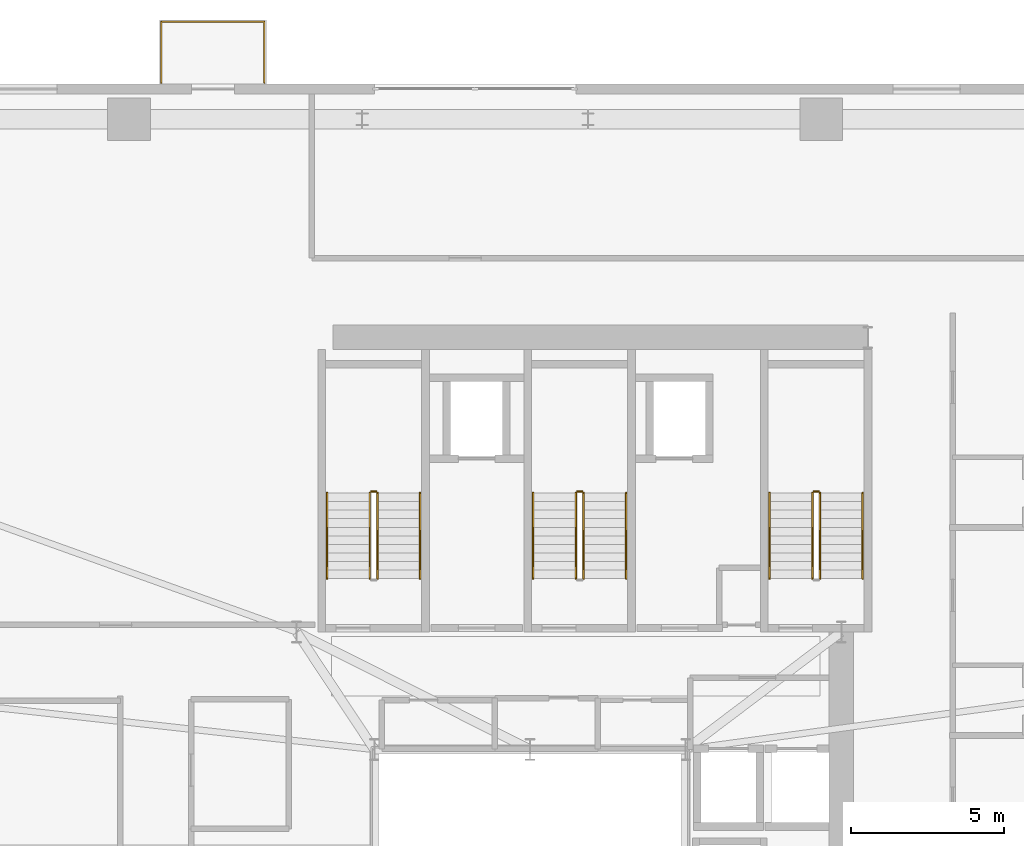
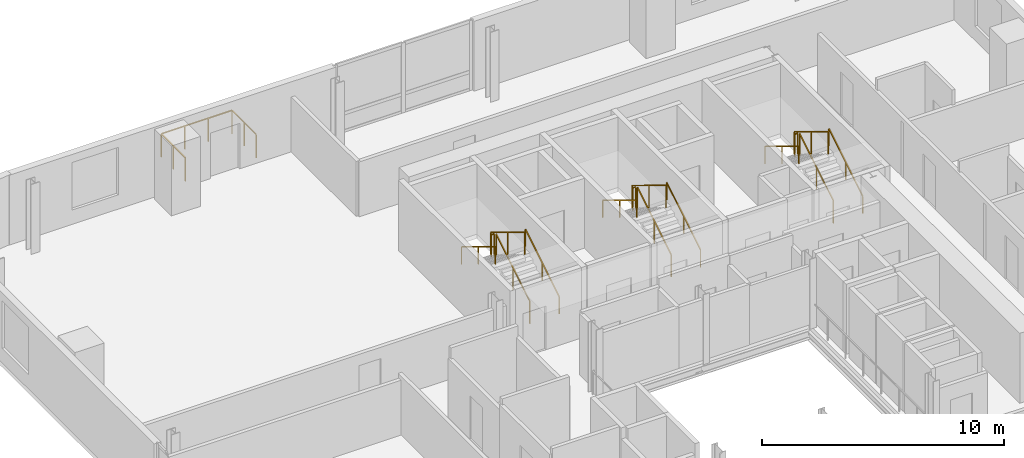
# One storey, part 15 of 15: 16 railings.
"""IFC4 building model written with IfcOpenShell, lengths in metres."""

from ifc_helpers import new_model, si_unit, direction, frame, origin, origin_2d, place, context, subcontext, project, spatial, rectangle, extrude, source, transform, mapped, material, type_object, element, save


model = new_model("IFC4")

# Units and contexts
model_context = context("Model", 3, precision=1e-05, world=origin(), true_north=direction((0.0, 1.0)))
body_context = subcontext(model_context, "Body", "Model", "MODEL_VIEW")
ifc_project = project(units=[si_unit("LENGTHUNIT", "METRE"), si_unit("AREAUNIT", "SQUARE_METRE"), si_unit("VOLUMEUNIT", "CUBIC_METRE"), si_unit("PLANEANGLEUNIT", "RADIAN"), si_unit("MASSUNIT", "GRAM", prefix="KILO")], contexts=[model_context])

# Site, building, storey
site_placement = place(None, origin())
site = spatial("IfcSite", under=ifc_project, at=site_placement, CompositionType="ELEMENT")
building_placement = place(site_placement, origin())
building = spatial("IfcBuilding", under=site, at=building_placement, Name="Vardaveli Station Tower", CompositionType="ELEMENT")
storey_placement = place(building_placement, frame((0.0, 0.0, 229.800048828125)))
storey = spatial("IfcBuildingStorey", under=building, at=storey_placement, Name="L59", CompositionType="ELEMENT", Elevation=229.800048828125)

# Railings
ifc_material_1 = material(Name="Laminated glass and stainless steel balustrade", Category="steel")
railing_type_1 = type_object("IfcRailingType", Name="RL-BAL-1200", PredefinedType="BALUSTRADE", material=ifc_material_1)
shared_shape_1 = source(origin(), body_context, "Body", "SweptSolid", [
    extrude(rectangle(XDim=0.048095703125, YDim=0.048095703125, at=origin_2d()), frame((0.0, 0.0, 1.17578125), z_axis=(0.0, 1.0, 0.0), x_axis=(-1.0, 0.0, 0.0)), (0.0, 0.0, 1.0), 2.0),
    extrude(rectangle(XDim=0.048095703125, YDim=0.048095703125, at=origin_2d()), frame((0.0, 2.0, 1.17578125), z_axis=(1.0, 0.0, 0.0), x_axis=(0.0, 1.0, 0.0)), (0.0, 0.0, 1.0), 3.3798828125),
    extrude(rectangle(XDim=0.048095703125, YDim=0.048095703125, at=origin_2d()), frame((3.3798828125, 2.0, 1.17578125), z_axis=(0.0, -1.0, 0.0), x_axis=(1.0, 0.0, 0.0)), (0.0, 0.0, 1.0), 2.0),
    extrude(rectangle(XDim=0.0419921875, YDim=0.0419921875, at=origin_2d()), origin(), (0.0, 0.0, 1.0), 1.15185546875),
    extrude(rectangle(XDim=0.0419921875, YDim=0.0419921875, at=origin_2d()), frame((0.0, 1.0, 0.0)), (0.0, 0.0, 1.0), 1.15185546875),
    extrude(rectangle(XDim=0.0419921875, YDim=0.0419921875, at=origin_2d()), frame((0.0, 2.0, 0.0)), (0.0, 0.0, 1.0), 1.15185546875),
    extrude(rectangle(XDim=0.0419921875, YDim=0.0419921875, at=origin_2d()), frame((1.126708984375, 2.0, 0.0)), (0.0, 0.0, 1.0), 1.15185546875),
    extrude(rectangle(XDim=0.0419921875, YDim=0.0419921875, at=origin_2d()), frame((2.253173828125, 2.0, 0.0)), (0.0, 0.0, 1.0), 1.15185546875),
    extrude(rectangle(XDim=0.0419921875, YDim=0.0419921875, at=origin_2d()), frame((3.3798828125, 2.0, 0.0)), (0.0, 0.0, 1.0), 1.15185546875),
    extrude(rectangle(XDim=0.0419921875, YDim=0.0419921875, at=origin_2d()), frame((3.3798828125, 1.0, 0.0)), (0.0, 0.0, 1.0), 1.15185546875),
    extrude(rectangle(XDim=0.0419921875, YDim=0.0419921875, at=origin_2d()), frame((3.3798828125, 0.0, 0.0)), (0.0, 0.0, 1.0), 1.15185546875),
])
railing_placement = place(storey_placement, frame((24.220458984375, 48.639892578125, 0.0)))
element("IfcRailing", 1, at=railing_placement, inside=storey, type_object=railing_type_1, Name="RL-LOG-L59-02", PredefinedType="BALUSTRADE", context=body_context, shape_type="MappedRepresentation", body=[
    mapped(shared_shape_1, transform((0.0, 0.0, 0.0), scale=1.0)),
])
ifc_material_2 = material(Name="Brushed AISI 316 stainless steel", Category="steel")
railing_type_2 = type_object("IfcRailingType", Name="RL-GUARD-1150", PredefinedType="GUARDRAIL", material=ifc_material_2)
shared_shape_2 = source(origin(), body_context, "Body", "SweptSolid", [
    extrude(rectangle(XDim=0.048095703125, YDim=0.048095703125, at=origin_2d()), frame((0.0, 0.0, 1.1259765625), z_axis=(-1.0, 0.0, 0.0), x_axis=(0.0, -1.0, 0.0)), (0.0, 0.0, 1.0), 0.14990234375),
    extrude(rectangle(XDim=0.0419921875, YDim=0.0419921875, at=origin_2d()), origin(), (0.0, 0.0, 1.0), 1.101806640625),
    extrude(rectangle(XDim=0.0419921875, YDim=0.0419921875, at=origin_2d()), frame((-0.14990234375, 0.0, 0.0)), (0.0, 0.0, 1.0), 1.101806640625),
])
for number, where, name in (
    (2, (31.25, 35.25, 1.875), "L59 ST-1 stair guard 2"),
    (3, (38.0, 35.25, 1.875), "L59 ST-2 stair guard 2"),
    (4, (45.75, 35.25, 1.875), "L59 ST-3 stair guard 2"),
):
    element("IfcRailing", number, at=place(storey_placement, frame(where)), inside=storey, type_object=railing_type_2, Name=name, PredefinedType="GUARDRAIL", context=body_context, shape_type="MappedRepresentation", body=[
        mapped(shared_shape_2, transform((0.0, 0.0, 0.0), scale=1.0)),
    ])
shared_shape_3 = source(origin(), body_context, "Body", "SweptSolid", [
    extrude(rectangle(XDim=0.048095703125, YDim=0.048095703125, at=origin_2d()), frame((0.0, 0.0, 1.1259765625), z_axis=(0.0, 0.854169791009, 0.51999420009), x_axis=(-1.0, 0.0, 0.0)), (0.0, 0.0, 1.0), 3.278076171875),
    extrude(rectangle(XDim=0.0419921875, YDim=0.0419921875, at=origin_2d()), origin(), (0.0, 0.0, 1.0), 1.101806640625),
    extrude(rectangle(XDim=0.0419921875, YDim=0.0419921875, at=origin_2d()), frame((0.0, 1.39990234375, 0.852294921875)), (0.0, 0.0, 1.0), 1.101806640625),
    extrude(rectangle(XDim=0.0419921875, YDim=0.0419921875, at=origin_2d()), frame((0.0, 2.800048828125, 1.70458984375)), (0.0, 0.0, 1.0), 1.101806640625),
])
for number, where, name in (
    (5, (31.300048828125, 32.39990234375, 0.17041015625), "L59 ST-1 stair guard 1"),
    (6, (38.050048828125, 32.39990234375, 0.17041015625), "L59 ST-2 stair guard 1"),
    (7, (45.800048828125, 32.39990234375, 0.17041015625), "L59 ST-3 stair guard 1"),
):
    element("IfcRailing", number, at=place(storey_placement, frame(where)), inside=storey, type_object=railing_type_2, Name=name, PredefinedType="GUARDRAIL", context=body_context, shape_type="MappedRepresentation", body=[
        mapped(shared_shape_3, transform((0.0, 0.0, 0.0), scale=1.0)),
    ])
shared_shape_4 = source(origin(), body_context, "Body", "SweptSolid", [
    extrude(rectangle(XDim=0.048095703125, YDim=0.048095703125, at=origin_2d()), frame((0.0, 0.0, 1.1259765625), z_axis=(0.0, -0.854169791009, 0.51999420009), x_axis=(1.0, 0.0, 0.0)), (0.0, 0.0, 1.0), 3.278076171875),
    extrude(rectangle(XDim=0.0419921875, YDim=0.0419921875, at=origin_2d()), origin(), (0.0, 0.0, 1.0), 1.101806640625),
    extrude(rectangle(XDim=0.0419921875, YDim=0.0419921875, at=origin_2d()), frame((0.0, -1.39990234375, 0.852294921875)), (0.0, 0.0, 1.0), 1.101806640625),
    extrude(rectangle(XDim=0.0419921875, YDim=0.0419921875, at=origin_2d()), frame((0.0, -2.800048828125, 1.70458984375)), (0.0, 0.0, 1.0), 1.101806640625),
])
for number, where, name in (
    (8, (31.050048828125, 35.199951171875, 2.04541015625), "L59 ST-1 stair guard 3"),
    (9, (37.800048828125, 35.199951171875, 2.04541015625), "L59 ST-2 stair guard 3"),
    (10, (45.550048828125, 35.199951171875, 2.04541015625), "L59 ST-3 stair guard 3"),
):
    element("IfcRailing", number, at=place(storey_placement, frame(where)), inside=storey, type_object=railing_type_2, Name=name, PredefinedType="GUARDRAIL", context=body_context, shape_type="MappedRepresentation", body=[
        mapped(shared_shape_4, transform((0.0, 0.0, 0.0), scale=1.0)),
    ])
railing_type_3 = type_object("IfcRailingType", Name="RL-HAND-900", PredefinedType="HANDRAIL", material=ifc_material_2)
shared_shape_5 = source(origin(), body_context, "Body", "SweptSolid", [
    extrude(rectangle(XDim=0.048095703125, YDim=0.048095703125, at=origin_2d()), frame((0.0, 0.0, 0.8759765625), z_axis=(0.0, 0.854169791009, 0.51999420009), x_axis=(-1.0, 0.0, 0.0)), (0.0, 0.0, 1.0), 3.278076171875),
    extrude(rectangle(XDim=0.0419921875, YDim=0.0419921875, at=origin_2d()), origin(), (0.0, 0.0, 1.0), 0.851806640625),
    extrude(rectangle(XDim=0.0419921875, YDim=0.0419921875, at=origin_2d()), frame((0.0, 1.39990234375, 0.852294921875)), (0.0, 0.0, 1.0), 0.851806640625),
    extrude(rectangle(XDim=0.0419921875, YDim=0.0419921875, at=origin_2d()), frame((0.0, 2.800048828125, 1.70458984375)), (0.0, 0.0, 1.0), 0.851806640625),
])
for number, where, name in (
    (11, (32.699951171875, 32.39990234375, 0.17041015625), "L59 ST-1 stair handrail 1"),
    (12, (39.449951171875, 32.39990234375, 0.17041015625), "L59 ST-2 stair handrail 1"),
    (13, (47.199951171875, 32.39990234375, 0.17041015625), "L59 ST-3 stair handrail 1"),
):
    element("IfcRailing", number, at=place(storey_placement, frame(where)), inside=storey, type_object=railing_type_3, Name=name, PredefinedType="HANDRAIL", context=body_context, shape_type="MappedRepresentation", body=[
        mapped(shared_shape_5, transform((0.0, 0.0, 0.0), scale=1.0)),
    ])
shared_shape_6 = source(origin(), body_context, "Body", "SweptSolid", [
    extrude(rectangle(XDim=0.048095703125, YDim=0.048095703125, at=origin_2d()), frame((0.0, 0.0, 0.8759765625), z_axis=(0.0, -0.854169791009, 0.51999420009), x_axis=(1.0, 0.0, 0.0)), (0.0, 0.0, 1.0), 3.278076171875),
    extrude(rectangle(XDim=0.0419921875, YDim=0.0419921875, at=origin_2d()), origin(), (0.0, 0.0, 1.0), 0.851806640625),
    extrude(rectangle(XDim=0.0419921875, YDim=0.0419921875, at=origin_2d()), frame((0.0, -1.39990234375, 0.852294921875)), (0.0, 0.0, 1.0), 0.851806640625),
    extrude(rectangle(XDim=0.0419921875, YDim=0.0419921875, at=origin_2d()), frame((0.0, -2.800048828125, 1.70458984375)), (0.0, 0.0, 1.0), 0.851806640625),
])
for number, where, name in (
    (14, (29.64990234375, 35.199951171875, 2.04541015625), "L59 ST-1 stair handrail 2"),
    (15, (36.39990234375, 35.199951171875, 2.04541015625), "L59 ST-2 stair handrail 2"),
    (16, (44.14990234375, 35.199951171875, 2.04541015625), "L59 ST-3 stair handrail 2"),
):
    element("IfcRailing", number, at=place(storey_placement, frame(where)), inside=storey, type_object=railing_type_3, Name=name, PredefinedType="HANDRAIL", context=body_context, shape_type="MappedRepresentation", body=[
        mapped(shared_shape_6, transform((0.0, 0.0, 0.0), scale=1.0)),
    ])

save(model, "model.ifc")
